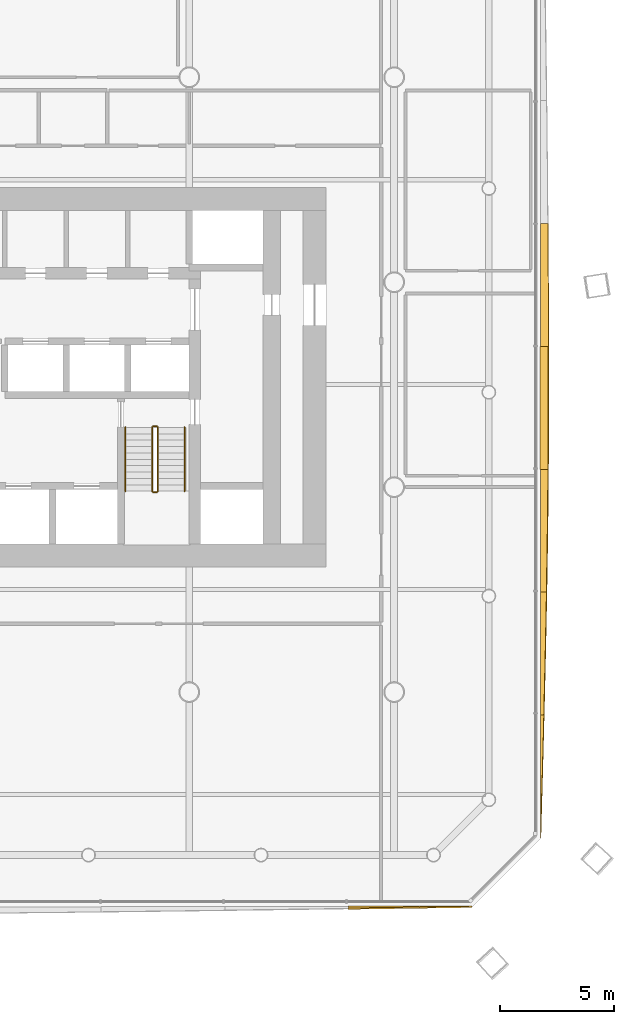
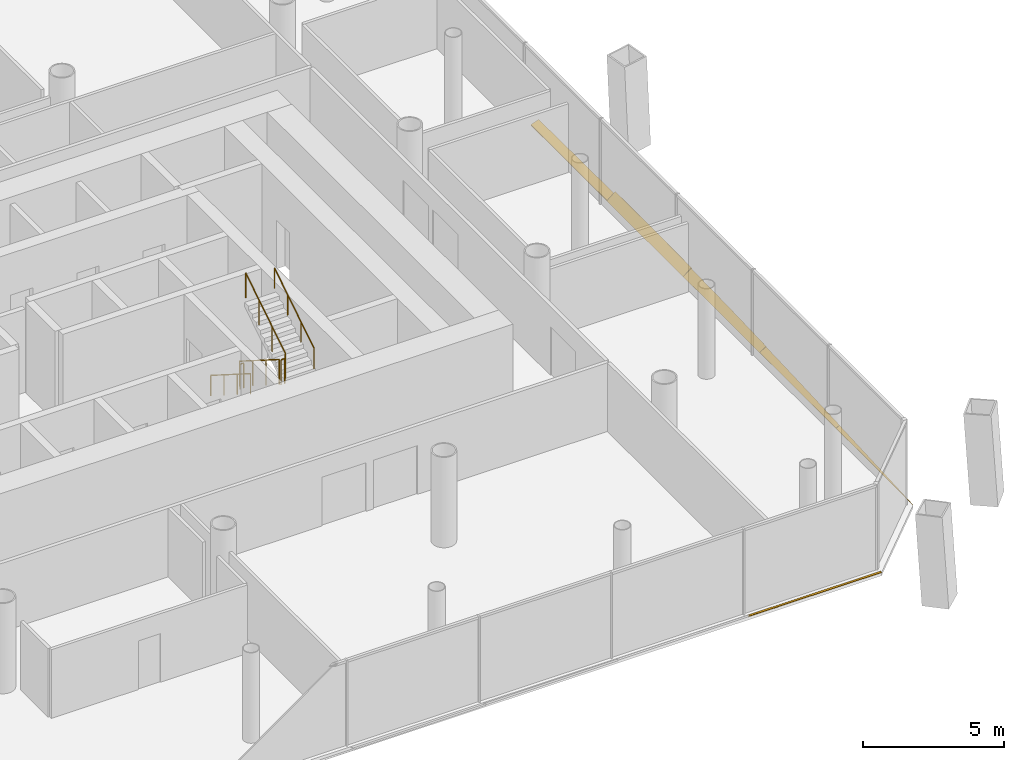
# One storey, part 20 of 22: 6 railings, 6 shading devices.
"""IFC4 building model written with IfcOpenShell, lengths in metres."""

from ifc_helpers import new_model, si_unit, direction, frame, origin, origin_2d, place, context, subcontext, project, spatial, polyline, circle, outline, extrude, material, layer, layer_set, type_object, element, save


model = new_model("IFC4")

# Units and contexts
model_context = context("Model", 3, precision=1e-05, world=origin(), true_north=direction((0.0, 1.0)))
body_context = subcontext(model_context, "Body", "Model", "MODEL_VIEW")
ifc_project = project(units=[si_unit("LENGTHUNIT", "METRE"), si_unit("AREAUNIT", "SQUARE_METRE"), si_unit("VOLUMEUNIT", "CUBIC_METRE"), si_unit("PLANEANGLEUNIT", "RADIAN"), si_unit("MASSUNIT", "GRAM", prefix="KILO")], contexts=[model_context])

# Site, building, storey
site_placement = place(None, origin())
site = spatial("IfcSite", under=ifc_project, at=site_placement, CompositionType="ELEMENT")
building_placement = place(site_placement, origin())
building = spatial("IfcBuilding", under=site, at=building_placement, Name="Tskaro Facet Tower", CompositionType="ELEMENT")
storey_placement = place(building_placement, frame((0.0, 0.0, 30.300048828125)))
storey = spatial("IfcBuildingStorey", under=building, at=storey_placement, Name="L06", CompositionType="ELEMENT", Elevation=30.300048828125)

# Shading devices
ifc_material_1 = material(Name="Bronze anodised aluminium 6063-T6", Category="aluminium")
ifc_layer = layer(ifc_material_1, 0.06005859375, Name="Bronze anodised aluminium 6063-T6")
ifc_layer_set = layer_set([ifc_layer], Name="Bronze anodised aluminium 6063-T6")
shading_device_type = type_object("IfcShadingDeviceType", Name="Bronze sun blade (FN1)", PredefinedType="USERDEFINED", material=ifc_layer_set)
shading_device_1_placement = place(storey_placement, frame((15.98486328125, -27.413330078125, 0.0458984375), z_axis=(-9.024937e-06, 0.642137538732, 0.766589447664), x_axis=(0.999999999959, 5.795251e-06, 6.918421e-06)))
element("IfcShadingDevice", 1, at=shading_device_1_placement, inside=storey, type_object=shading_device_type, Name="Fin blade south 9", ObjectType="FIN", PredefinedType="USERDEFINED", context=body_context, shape_type="SweptSolid", body=[
    extrude(outline(polyline([(0.0, 0.0), (5.424072265404106, 0.0), (4.746093749500129, -0.013347551430598995), (4.068115233596151, -0.02669510286119799), (3.39013671910703, -0.03985549866491826), (2.7119140625780633, -0.053203050095517256), (2.0339355463998743, -0.06620667403918917), (1.3559570319107532, -0.07936706984290944), (0.6779785157325643, -0.09237069378658136), (-4.4562458562692185e-10, -0.10537431773025327), (0.0, 0.0)])), origin(), (0.0, 0.0, -1.0), 0.06005859375),
])
shading_device_2_placement = place(storey_placement, frame((24.4267578125, -24.408935546875, 0.054443359375), z_axis=(-0.422311005869, -1.3558676e-05, 0.906450999304), x_axis=(-5.725978e-06, 0.999999999908, 1.2290276e-05)))
element("IfcShadingDevice", 2, at=shading_device_2_placement, inside=storey, type_object=shading_device_type, Name="Fin blade east 1", ObjectType="FIN", PredefinedType="USERDEFINED", context=body_context, shape_type="SweptSolid", body=[
    extrude(outline(polyline([(0.0, 0.0), (5.397705077628849, -4.572034040733722e-21), (5.397705078608737, -0.16055841193282222), (4.722900391406446, -0.14144359646616866), (4.048095702601545, -0.12200437621306634), (3.3735351558195643, -0.10234385444644181), (2.6987304682079385, -0.08213762637984627), (2.0241699226192345, -0.06171009679972855), (1.3493652334049973, -0.04117946394668423), (0.674560545588704, -0.02042752958011772), (0.0, 0.0)])), origin(), (0.0, 0.0, -1.0), 0.06005859375),
])
shading_device_3_placement = place(storey_placement, frame((24.422119140625, -19.01123046875, 0.052001953125), z_axis=(-0.499969766555, 4.709636e-06, 0.866042858356), x_axis=(2.354676e-06, 0.999999999989, -4.078747e-06)))
element("IfcShadingDevice", 3, at=shading_device_3_placement, inside=storey, type_object=shading_device_type, Name="Fin blade east 2", ObjectType="FIN", PredefinedType="USERDEFINED", context=body_context, shape_type="SweptSolid", body=[
    extrude(outline(polyline([(0.0, 0.0), (5.397460937440141, 0.0), (5.397460937659147, -0.3052747850854175), (4.722900390771918, -0.29061821242140196), (4.0480957031057345, -0.2754167043366611), (3.373535156331509, -0.25933676165518765), (2.698730468624374, -0.24216694813226347), (2.023925781338154, -0.22466363543333207), (1.349365233948103, -0.20640395106895726), (0.6745605467748867, -0.18747726835256792), (7.271143585669869e-11, -0.16800565021545324), (0.0, 0.0)])), origin(), (0.0, 0.0, -1.0), 0.06005859375),
])
shading_device_4_placement = place(storey_placement, frame((24.41748046875, -13.61376953125, 0.049072265625), z_axis=(-0.573517472878, 1.2674034e-05, 0.819193327697), x_axis=(7.26878e-06, 0.99999999992, -1.0382484e-05)))
element("IfcShadingDevice", 4, at=shading_device_4_placement, inside=storey, type_object=shading_device_type, Name="Fin blade east 3", ObjectType="FIN", PredefinedType="USERDEFINED", context=body_context, shape_type="SweptSolid", body=[
    extrude(outline(polyline([(0.0, 0.0), (5.39770507769148, 9.144068081467444e-21), (5.397705079054119, -0.40881592277768947), (4.723144531973973, -0.4019756576152565), (4.04833984224, -0.3940553611401043), (3.373535155546753, -0.38477499552365635), (2.698974609224246, -0.3746145969655248), (2.0241699227826997, -0.3632341481803858), (1.3496093749372875, -0.35077366808252747), (0.6748046862126539, -0.33743315504298554), (-2.3143455135651923e-10, -0.32307259014747186), (0.0, 0.0)])), origin(), (0.0, 0.0, -1.0), 0.06005859375),
])
shading_device_5_placement = place(storey_placement, frame((24.413330078125, -8.216064453125, 0.0458984375), z_axis=(-0.642738347103, -4.292764e-06, 0.766085776624), x_axis=(-2.759124e-06, 0.999999999991, 3.288626e-06)))
element("IfcShadingDevice", 5, at=shading_device_5_placement, inside=storey, type_object=shading_device_type, Name="Fin blade east 4", ObjectType="FIN", PredefinedType="USERDEFINED", context=body_context, shape_type="SweptSolid", body=[
    extrude(outline(polyline([(0.0, 0.0), (5.3977050780752664, 2.286017020366861e-21), (5.397705078196577, -0.4516014258296024), (4.72314453117127, -0.453164263298252), (4.048339843936033, -0.45385216570242165), (3.4328613284459766, -0.45419611690450645), (3.3735351565715233, -0.45419611690450645), (2.6989746086413056, -0.4533512959585623), (2.024169921848388, -0.45125747462751753), (1.3493652345383786, -0.4477878484881336), (0.6748046874655488, -0.44328636874249505), (-7.575568800827335e-11, -0.43722205152820703), (0.0, 0.0)])), origin(), (0.0, 0.0, -1.0), 0.06005859375),
])
shading_device_6_placement = place(storey_placement, frame((24.431396484375, -2.818359375, 0.056396484375), z_axis=(-0.341825388096, 2.752043e-06, 0.939763483034), x_axis=(9.40718e-07, 0.999999999996, -2.586269e-06)))
element("IfcShadingDevice", 6, at=shading_device_6_placement, inside=storey, type_object=shading_device_type, Name="Fin blade east 5", ObjectType="FIN", PredefinedType="USERDEFINED", context=body_context, shape_type="SweptSolid", body=[
    extrude(outline(polyline([(0.0, 0.0), (5.3977050781045595, 0.0), (5.3977050784737965, -0.34105472738076104), (4.722900390288727, -0.34608160952981015), (4.048339843761816, -0.35071215030697606), (3.373535156150571, -0.3548838221959398), (2.6989746093364033, -0.3585131717328103), (2.0241699220693152, -0.36160019891758755), (1.3493652343428924, -0.3642283572141626), (0.6748046874135465, -0.3663141931586445), (2.6094765388748965e-10, -0.3680871411951342), (0.0, 0.0)])), origin(), (0.0, 0.0, -1.0), 0.06005859375),
])

# Railings
ifc_material_2 = material(Name="Stainless steel", Category="steel")
railing_type_1 = type_object("IfcRailingType", Name="RL-GUARD-1100", PredefinedType="GUARDRAIL", material=ifc_material_2)
railing_1_placement = place(storey_placement, frame((7.375, -6.375, 0.17724609375)))
element("IfcRailing", 7, at=railing_1_placement, inside=storey, type_object=railing_type_1, Name="L06 ST-2 stair guard 1", PredefinedType="GUARDRAIL", context=body_context, shape_type="SweptSolid", body=[
    extrude(circle(Radius=0.02392578125, at=origin_2d()), frame((0.0, 0.0, 1.076171875), z_axis=(0.0, -0.844908973607, 0.534910110503), x_axis=(1.0, 0.0, 0.0)), (0.0, 0.0, 1.0), 3.31396484375),
    extrude(circle(Radius=0.02099609375, at=origin_2d()), origin(), (0.0, 0.0, 1.0), 1.052001953125),
    extrude(circle(Radius=0.02099609375, at=origin_2d()), frame((0.0, -0.933349609375, 0.5908203125)), (0.0, 0.0, 1.0), 1.052001953125),
    extrude(circle(Radius=0.02099609375, at=origin_2d()), frame((0.0, -1.86669921875, 1.181884765625)), (0.0, 0.0, 1.0), 1.052001953125),
    extrude(circle(Radius=0.02099609375, at=origin_2d()), frame((0.0, -2.800048828125, 1.772705078125)), (0.0, 0.0, 1.0), 1.052001953125),
])
railing_2_placement = place(storey_placement, frame((7.425048828125, -9.22509765625, 1.949951171875)))
element("IfcRailing", 8, at=railing_2_placement, inside=storey, type_object=railing_type_1, Name="L06 ST-2 stair guard 2", PredefinedType="GUARDRAIL", context=body_context, shape_type="SweptSolid", body=[
    extrude(circle(Radius=0.02392578125, at=origin_2d()), frame((0.0, 0.0, 1.076171875), z_axis=(1.0, 0.0, 0.0), x_axis=(0.0, 1.0, 0.0)), (0.0, 0.0, 1.0), 0.14990234375),
    extrude(circle(Radius=0.02099609375, at=origin_2d()), origin(), (0.0, 0.0, 1.0), 1.052001953125),
    extrude(circle(Radius=0.02099609375, at=origin_2d()), frame((0.14990234375, 0.0, 0.0)), (0.0, 0.0, 1.0), 1.052001953125),
])
railing_3_placement = place(storey_placement, frame((7.625, -9.175048828125, 2.127197265625)))
element("IfcRailing", 9, at=railing_3_placement, inside=storey, type_object=railing_type_1, Name="L06 ST-2 stair guard 3", PredefinedType="GUARDRAIL", context=body_context, shape_type="SweptSolid", body=[
    extrude(circle(Radius=0.02392578125, at=origin_2d()), frame((0.0, 0.0, 1.076171875), z_axis=(0.0, 0.844908973607, 0.534910110503), x_axis=(-1.0, 0.0, 0.0)), (0.0, 0.0, 1.0), 3.31396484375),
    extrude(circle(Radius=0.02099609375, at=origin_2d()), origin(), (0.0, 0.0, 1.0), 1.052001953125),
    extrude(circle(Radius=0.02099609375, at=origin_2d()), frame((0.0, 0.933349609375, 0.5908203125)), (0.0, 0.0, 1.0), 1.052001953125),
    extrude(circle(Radius=0.02099609375, at=origin_2d()), frame((0.0, 1.86669921875, 1.181884765625)), (0.0, 0.0, 1.0), 1.052001953125),
    extrude(circle(Radius=0.02099609375, at=origin_2d()), frame((0.0, 2.800048828125, 1.772705078125)), (0.0, 0.0, 1.0), 1.052001953125),
])
railing_4_placement = place(storey_placement, frame((7.425048828125, -6.324951171875, 0.0)))
element("IfcRailing", 10, at=railing_4_placement, inside=storey, type_object=railing_type_1, Name="L06 ST-2 stair guard 4", PredefinedType="GUARDRAIL", context=body_context, shape_type="SweptSolid", body=[
    extrude(circle(Radius=0.02392578125, at=origin_2d()), frame((0.0, 0.0, 1.076171875), z_axis=(1.0, 0.0, 0.0), x_axis=(0.0, 1.0, 0.0)), (0.0, 0.0, 1.0), 0.14990234375),
    extrude(circle(Radius=0.02099609375, at=origin_2d()), origin(), (0.0, 0.0, 1.0), 1.052001953125),
    extrude(circle(Radius=0.02099609375, at=origin_2d()), frame((0.14990234375, 0.0, 0.0)), (0.0, 0.0, 1.0), 1.052001953125),
])
railing_type_2 = type_object("IfcRailingType", Name="RL-HANDRAIL-900", PredefinedType="HANDRAIL", material=ifc_material_2)
railing_5_placement = place(storey_placement, frame((6.199951171875, -6.375, 0.17724609375)))
element("IfcRailing", 11, at=railing_5_placement, inside=storey, type_object=railing_type_2, Name="L06 ST-2 stair handrail 1", PredefinedType="HANDRAIL", context=body_context, shape_type="SweptSolid", body=[
    extrude(circle(Radius=0.02392578125, at=origin_2d()), frame((0.0, 0.0, 0.8759765625), z_axis=(0.0, -0.844908973607, 0.534910110503), x_axis=(1.0, 0.0, 0.0)), (0.0, 0.0, 1.0), 3.31396484375),
    extrude(circle(Radius=0.02099609375, at=origin_2d()), origin(), (0.0, 0.0, 1.0), 0.851806640625),
    extrude(circle(Radius=0.02099609375, at=origin_2d()), frame((0.0, -0.933349609375, 0.5908203125)), (0.0, 0.0, 1.0), 0.851806640625),
    extrude(circle(Radius=0.02099609375, at=origin_2d()), frame((0.0, -1.86669921875, 1.181884765625)), (0.0, 0.0, 1.0), 0.851806640625),
    extrude(circle(Radius=0.02099609375, at=origin_2d()), frame((0.0, -2.800048828125, 1.772705078125)), (0.0, 0.0, 1.0), 0.851806640625),
])
railing_6_placement = place(storey_placement, frame((8.800048828125, -9.175048828125, 2.127197265625)))
element("IfcRailing", 12, at=railing_6_placement, inside=storey, type_object=railing_type_2, Name="L06 ST-2 stair handrail 2", PredefinedType="HANDRAIL", context=body_context, shape_type="SweptSolid", body=[
    extrude(circle(Radius=0.02392578125, at=origin_2d()), frame((0.0, 0.0, 0.8759765625), z_axis=(0.0, 0.844908973607, 0.534910110503), x_axis=(-1.0, 0.0, 0.0)), (0.0, 0.0, 1.0), 3.31396484375),
    extrude(circle(Radius=0.02099609375, at=origin_2d()), origin(), (0.0, 0.0, 1.0), 0.851806640625),
    extrude(circle(Radius=0.02099609375, at=origin_2d()), frame((0.0, 0.933349609375, 0.5908203125)), (0.0, 0.0, 1.0), 0.851806640625),
    extrude(circle(Radius=0.02099609375, at=origin_2d()), frame((0.0, 1.86669921875, 1.181884765625)), (0.0, 0.0, 1.0), 0.851806640625),
    extrude(circle(Radius=0.02099609375, at=origin_2d()), frame((0.0, 2.800048828125, 1.772705078125)), (0.0, 0.0, 1.0), 0.851806640625),
])

save(model, "model.ifc")
